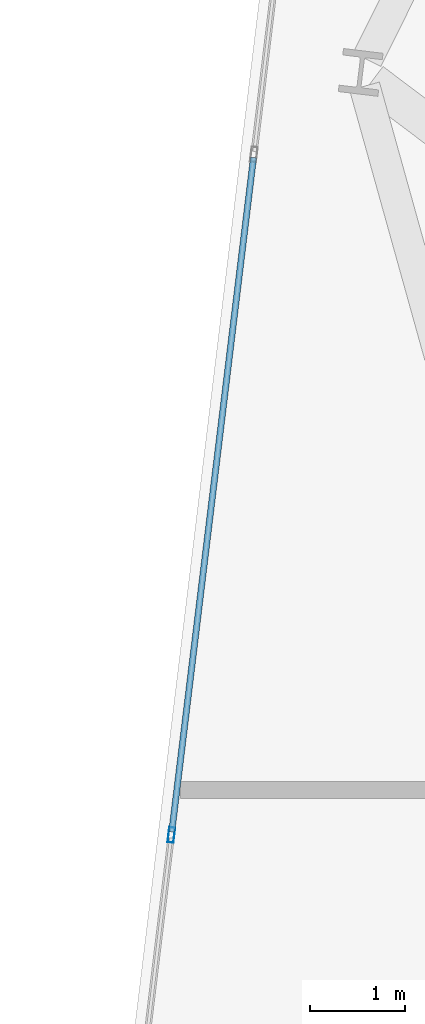
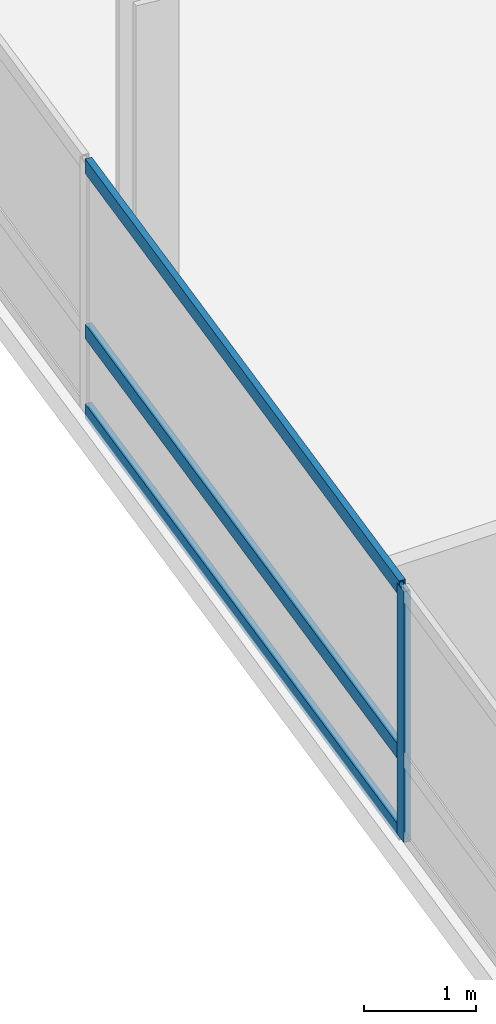
# One storey, part 6 of 25: 4 members, 1 element without a shape of its own.
"""IFC4 building model written with IfcOpenShell, lengths in metres."""

import ifcopenshell
import ifcopenshell.guid

model = None  # the IFC model being written
_history = None  # IfcOwnerHistory: only IFC2X3 demands one
_inside = {}  # id of a spatial element -> (the spatial element, [elements in it])
_under = {}  # id of a project, library or spatial element -> (it, [spatial elements below it])
_declared = {}  # id of a project -> (the project, [libraries it declares])
_typed = {}  # id of a type object -> (the type object, [elements of that type])
_made_of = {}  # id of a material, layer set ... -> (it, [elements and type objects made of it])


def new_model(schema):
    """Start an empty IFC model of exactly this schema.

    Asked for "IFC4X3", IfcOpenShell would pick the latest addendum, in which some entities
    have other attributes; the version numbers below select the first issue.
    IFC2X3 requires an IfcOwnerHistory on every rooted entity: one is made here for all.
    """
    global model, _history
    if schema == "IFC4X3":
        model = ifcopenshell.file(schema_version=(4, 3, 0, 0))
    else:
        model = ifcopenshell.file(schema=schema)
    _inside.clear()
    _under.clear()
    _declared.clear()
    _typed.clear()
    _made_of.clear()
    _history = None
    if model.schema == "IFC2X3":
        org = make("IfcOrganization", Name="unknown")
        user = make(
            "IfcPersonAndOrganization",
            ThePerson=make("IfcPerson", FamilyName="unknown"),
            TheOrganization=org,
        )
        app = make(
            "IfcApplication",
            ApplicationDeveloper=org,
            Version="unknown",
            ApplicationFullName="unknown",
            ApplicationIdentifier="unknown",
        )
        _history = make(
            "IfcOwnerHistory",
            OwningUser=user,
            OwningApplication=app,
            ChangeAction="ADDED",
            CreationDate=0,
        )
    return model


def make(cls, **values):
    """One entity of the class cls with the attributes given. An attribute that is None is left unset."""
    return model.create_entity(
        cls, **{name: value for name, value in values.items() if value is not None}
    )


def rooted(cls, **values):
    """An entity with a GlobalId (a new one), such as an element, a storey or a relation."""
    return make(cls, GlobalId=ifcopenshell.guid.new(), OwnerHistory=_history, **values)


def si_unit(unit_type, name, prefix=None):
    """IfcSIUnit, for example si_unit("LENGTHUNIT", "METRE", prefix="MILLI")."""
    return make("IfcSIUnit", UnitType=unit_type, Prefix=prefix, Name=name)


def assignment(units):
    """IfcUnitAssignment: the units of a project."""
    return None if units is None else make("IfcUnitAssignment", Units=units)


def point(xyz):
    """IfcCartesianPoint."""
    return None if xyz is None else make("IfcCartesianPoint", Coordinates=xyz)


def direction(xyz):
    """IfcDirection."""
    return None if xyz is None else make("IfcDirection", DirectionRatios=xyz)


def frame(location, z_axis=None, x_axis=None):
    """IfcAxis2Placement3D, a coordinate frame: its origin and axes. An axis left out is left unset."""
    return make(
        "IfcAxis2Placement3D",
        Location=point(location),
        Axis=direction(z_axis),
        RefDirection=direction(x_axis),
    )


def frame_2d(location, x_axis=None):
    """IfcAxis2Placement2D, a coordinate frame in the plane: its origin and x axis."""
    return make(
        "IfcAxis2Placement2D", Location=point(location), RefDirection=direction(x_axis)
    )


def origin():
    """The frame at (0, 0, 0) with its axes left unset."""
    return frame((0.0, 0.0, 0.0))


def origin_2d():
    """The frame at (0, 0) in the plane with its x axis left unset."""
    return frame_2d((0.0, 0.0))


def place(relative_to, where):
    """IfcLocalPlacement: puts the frame where relative to a parent placement (None: the world)."""
    return make(
        "IfcLocalPlacement", PlacementRelTo=relative_to, RelativePlacement=where
    )


def context(
    kind, dimensions, precision=None, world=None, true_north=None, identifier=None
):
    """IfcGeometricRepresentationContext, for example the 3D "Model" context."""
    return make(
        "IfcGeometricRepresentationContext",
        ContextIdentifier=identifier,
        ContextType=kind,
        CoordinateSpaceDimension=dimensions,
        Precision=precision,
        WorldCoordinateSystem=world,
        TrueNorth=true_north,
    )


def subcontext(parent, identifier, kind, view, scale=None):
    """IfcGeometricRepresentationSubContext, for example "Body" below "Model"."""
    return make(
        "IfcGeometricRepresentationSubContext",
        ContextIdentifier=identifier,
        ContextType=kind,
        ParentContext=parent,
        TargetScale=scale,
        TargetView=view,
    )


def project(units=None, contexts=None):
    """IfcProject with its units and contexts."""
    return rooted(
        "IfcProject",
        Name="project",
        RepresentationContexts=contexts,
        UnitsInContext=assignment(units),
    )


def spatial(cls, under=None, at=None, **own):
    """A site, building, storey or space (cls), placed at a placement, below another one or the project."""
    s = rooted(cls, ObjectPlacement=at, **own)
    if under is not None:
        _under.setdefault(under.id(), (under, []))[1].append(s)
    return s


def profile(cls, at=None, kind="AREA", **sizes):
    """A parametric profile (cls). Its sizes go by their IFC names, for example OverallWidth=200.0."""
    return make(cls, ProfileType=kind, Position=at, **sizes)


def hollow_rectangle(**sizes):
    """IfcRectangleHollowProfileDef."""
    return profile("IfcRectangleHollowProfileDef", **sizes)


def extrude(swept, where, along, depth):
    """IfcExtrudedAreaSolid: the profile swept, set in the frame where, extruded along a direction by depth."""
    return make(
        "IfcExtrudedAreaSolid",
        SweptArea=swept,
        Position=where,
        ExtrudedDirection=direction(along),
        Depth=depth,
    )


def shape(context_of_items, identifier, shape_type, items):
    """IfcShapeRepresentation: the items that make up one representation, for example the "Body"."""
    return make(
        "IfcShapeRepresentation",
        ContextOfItems=context_of_items,
        RepresentationIdentifier=identifier,
        RepresentationType=shape_type,
        Items=items,
    )


def material(Name=None, Category=None):
    """IfcMaterial."""
    return make("IfcMaterial", Name=Name, Category=Category)


def layer(
    of_material, thickness, ventilated=None, Name=None, Category=None, Priority=None
):
    """IfcMaterialLayer: one layer of a wall or slab, of a material (None: an air gap)."""
    return make(
        "IfcMaterialLayer",
        Material=of_material,
        LayerThickness=thickness,
        IsVentilated=ventilated,
        Name=Name,
        Category=Category,
        Priority=Priority,
    )


def layer_set(layers, Name=None):
    """IfcMaterialLayerSet."""
    return make("IfcMaterialLayerSet", MaterialLayers=layers, LayerSetName=Name)


def material_profile(
    of_material, cross_section, Name=None, Category=None, Priority=None
):
    """IfcMaterialProfile: a cross section and its material."""
    return make(
        "IfcMaterialProfile",
        Name=Name,
        Material=of_material,
        Profile=cross_section,
        Priority=Priority,
        Category=Category,
    )


def profile_set(profiles, Name=None, composite=None):
    """IfcMaterialProfileSet."""
    return make(
        "IfcMaterialProfileSet",
        Name=Name,
        MaterialProfiles=profiles,
        CompositeProfile=composite,
    )


def made_of(thing, what):
    """Note that an element or type object is made of a material, layer set ...; save() writes the relation."""
    if what is not None:
        _made_of.setdefault(what.id(), (what, []))[1].append(thing)
    return thing


def type_object(cls, material=None, **own):
    """A type object (cls), such as IfcWallType, which elements share."""
    return made_of(rooted(cls, **own), material)


def element(
    cls,
    number,
    at=None,
    inside=None,
    cuts=None,
    type_object=None,
    material=None,
    context=None,
    identifier="Body",
    shape_type=None,
    held_by="IfcProductDefinitionShape",
    body=None,
    shapes=None,
    **own,
):
    """One element of the class cls, such as IfcWall. Its Tag is "e" and its number.

    at: its placement. inside: the storey or other place that contains it. cuts: it is an
    opening in that element (IfcRelVoidsElement). A single representation is given by context,
    identifier, shape_type and body (its items); several are given by shapes. held_by: the class
    of the entity that holds the representations. save() writes the other relations.
    """
    e = rooted(cls, Tag="e%d" % number, ObjectPlacement=at, **own)
    if body is not None:
        shapes = [shape(context, identifier, shape_type, body)]
    if shapes is not None:
        e.Representation = make(held_by, Representations=shapes)
    if inside is not None:
        _inside.setdefault(inside.id(), (inside, []))[1].append(e)
    if cuts is not None:
        rooted(
            "IfcRelVoidsElement", RelatingBuildingElement=cuts, RelatedOpeningElement=e
        )
    if type_object is not None:
        _typed.setdefault(type_object.id(), (type_object, []))[1].append(e)
    return made_of(e, material)


def aggregate(whole, parts):
    """IfcRelAggregates: a whole, such as a stair, and the parts it consists of."""
    return rooted("IfcRelAggregates", RelatingObject=whole, RelatedObjects=parts)


def save(model, path):
    """Write the relations noted so far, then the file.

    IfcRelAggregates (storeys below a building ...), IfcRelContainedInSpatialStructure (elements
    in a storey), IfcRelDefinesByType, IfcRelAssociatesMaterial and IfcRelDeclares: one each for
    every whole, place, type object, material and project.
    """
    for whole, parts in _under.values():
        aggregate(whole, parts)
    for where, things in _inside.values():
        rooted(
            "IfcRelContainedInSpatialStructure",
            RelatedElements=things,
            RelatingStructure=where,
        )
    for kind, things in _typed.values():
        rooted("IfcRelDefinesByType", RelatedObjects=things, RelatingType=kind)
    for what, things in _made_of.values():
        rooted("IfcRelAssociatesMaterial", RelatedObjects=things, RelatingMaterial=what)
    for by, libraries in _declared.values():
        rooted("IfcRelDeclares", RelatingContext=by, RelatedDefinitions=libraries)
    model.write(path)


model = new_model("IFC4")

# Units and contexts
model_context = context("Model", 3, precision=1e-05, world=origin(), true_north=direction((0.0, 1.0)))
body_context = subcontext(model_context, "Body", "Model", "MODEL_VIEW")
ifc_project = project(units=[si_unit("LENGTHUNIT", "METRE"), si_unit("AREAUNIT", "SQUARE_METRE"), si_unit("VOLUMEUNIT", "CUBIC_METRE"), si_unit("PLANEANGLEUNIT", "RADIAN"), si_unit("MASSUNIT", "GRAM", prefix="KILO")], contexts=[model_context])

# Site, building, storey
site_placement = place(None, origin())
site = spatial("IfcSite", under=ifc_project, at=site_placement, CompositionType="ELEMENT")
building_placement = place(site_placement, origin())
building = spatial("IfcBuilding", under=site, at=building_placement, Name="Varnelok Gate Tower", CompositionType="ELEMENT")
storey_placement = place(building_placement, frame((0.0, 0.0, 136.5)))
storey = spatial("IfcBuildingStorey", under=building, at=storey_placement, Name="L34", CompositionType="ELEMENT", Elevation=136.5)

# Curtain wall, members
ifc_material = material(Name="Anodized Aluminum Alloy 6063-T6", Category="aluminium")
ifc_layer = layer(ifc_material, 0.179931640625)
ifc_layer_set = layer_set([ifc_layer], Name="Anodized Aluminum Alloy 6063-T6")
curtain_wall_type = type_object("IfcCurtainWallType", Name="CW3-HOTEL-VISION", PredefinedType="USERDEFINED", material=ifc_layer_set)
curtain_wall_placement = place(storey_placement, origin())
curtain_wall = element("IfcCurtainWall", 1, at=curtain_wall_placement, inside=storey, type_object=curtain_wall_type, Name="L34 West End Vision Curtain Wall", ObjectType="UNITISED CURTAIN WALL", PredefinedType="USERDEFINED")
ifc_material_profile_1 = material_profile(ifc_material, hollow_rectangle(XDim=0.06494140625, YDim=0.159912109375, WallThickness=0.00390625, at=origin_2d()), Name="ALU160X65X4")
ifc_profile_set_1 = profile_set([ifc_material_profile_1], Name="Anodized Aluminum Alloy 6063-T6")
member_type_1 = type_object("IfcMemberType", Name="CW-MULL-160", PredefinedType="MULLION", material=ifc_profile_set_1)
member_1_placement = place(storey_placement, frame((1.97607421875, 26.186279296875, 0.0), z_axis=(0.0, 0.0, 1.0), x_axis=(-0.99273188146, 0.120347046212, 0.0)))
member_1 = element("IfcMember", 2, at=member_1_placement, type_object=member_type_1, Name="CW3 mullion 3", PredefinedType="MULLION", context=body_context, shape_type="SweptSolid", body=[
    extrude(hollow_rectangle(XDim=0.06494140625, YDim=0.159912109375, WallThickness=0.00390625, at=origin_2d()), origin(), (0.0, 0.0, 1.0), 2.72998046875),
])
ifc_material_profile_2 = material_profile(ifc_material, hollow_rectangle(XDim=0.06494140625, YDim=0.159912109375, WallThickness=0.00390625, at=origin_2d()), Name="ALU160X65X4")
ifc_profile_set_2 = profile_set([ifc_material_profile_2], Name="Anodized Aluminum Alloy 6063-T6")
member_type_2 = type_object("IfcMemberType", Name="CW-TRAN-160", PredefinedType="USERDEFINED", material=ifc_profile_set_2)
member_2_placement = place(storey_placement, frame((1.97998046875, 26.218505859375, 0.032470703125), z_axis=(0.120344652138, 0.992732171687, 0.0), x_axis=(-0.992732171687, 0.120344652138, 0.0)))
member_2 = element("IfcMember", 3, at=member_2_placement, type_object=member_type_2, Name="CW3 transom 3.1", ObjectType="TRANSOM", PredefinedType="USERDEFINED", context=body_context, shape_type="SweptSolid", body=[
    extrude(hollow_rectangle(XDim=0.06494140625, YDim=0.159912109375, WallThickness=0.00390625, at=origin_2d()), origin(), (0.0, 0.0, 1.0), 7.134765625),
])
member_3_placement = place(storey_placement, frame((1.97998046875, 26.218505859375, 0.89990234375), z_axis=(0.120344652138, 0.992732171687, 0.0), x_axis=(-0.992732171687, 0.120344652138, 0.0)))
member_3 = element("IfcMember", 4, at=member_3_placement, type_object=member_type_2, Name="CW3 transom 3.2", ObjectType="TRANSOM", PredefinedType="USERDEFINED", context=body_context, shape_type="SweptSolid", body=[
    extrude(hollow_rectangle(XDim=0.06494140625, YDim=0.159912109375, WallThickness=0.00390625, at=origin_2d()), origin(), (0.0, 0.0, 1.0), 7.134765625),
])
member_4_placement = place(storey_placement, frame((1.97998046875, 26.218505859375, 2.697509765625), z_axis=(0.120344652138, 0.992732171687, 0.0), x_axis=(-0.992732171687, 0.120344652138, 0.0)))
member_4 = element("IfcMember", 5, at=member_4_placement, type_object=member_type_2, Name="CW3 transom 3.3", ObjectType="TRANSOM", PredefinedType="USERDEFINED", context=body_context, shape_type="SweptSolid", body=[
    extrude(hollow_rectangle(XDim=0.06494140625, YDim=0.159912109375, WallThickness=0.00390625, at=origin_2d()), origin(), (0.0, 0.0, 1.0), 7.134765625),
])
aggregate(curtain_wall, [member_1, member_2, member_3, member_4])

save(model, "model.ifc")
